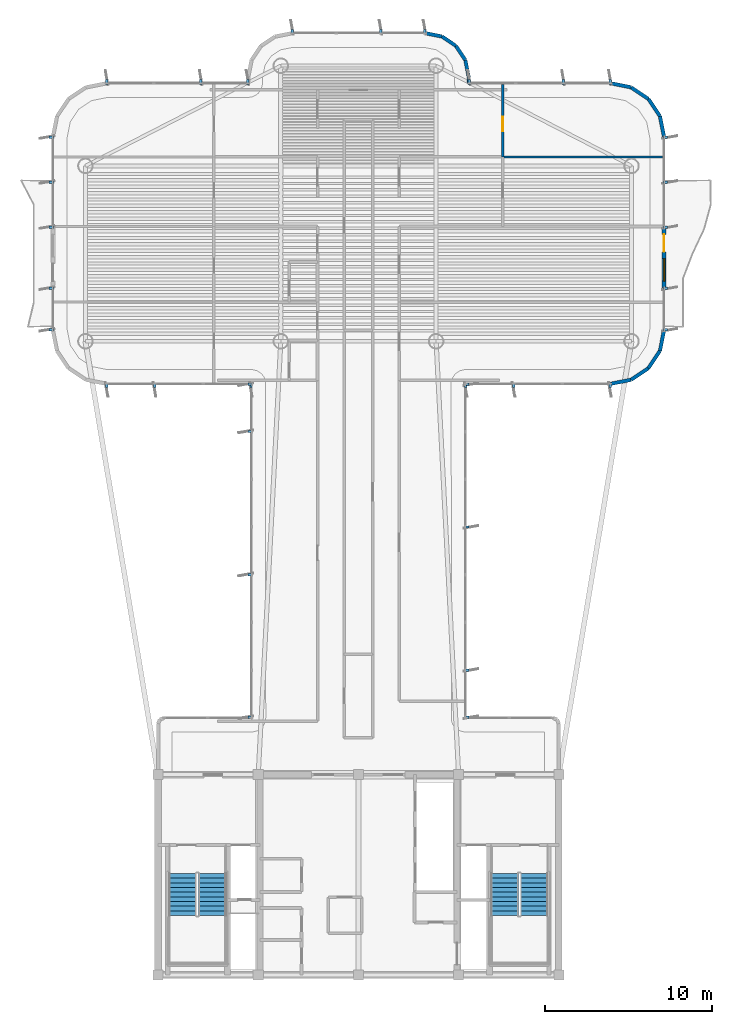
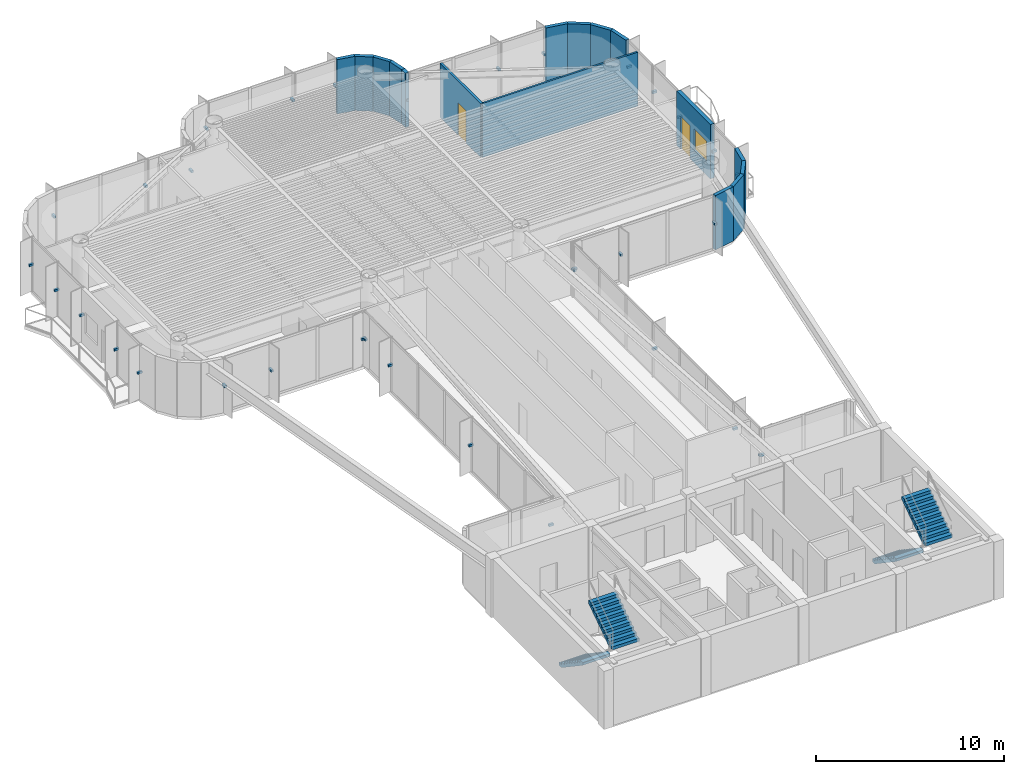
# One storey, part 13 of 15: 33 discrete accessories, 16 walls, 4 stair flights, 2 doors, 1 window, 3 openings, 2 elements without a shape of their own.
"""IFC4 building model written with IfcOpenShell, lengths in metres."""

from ifc_helpers import new_model, si_unit, direction, frame, frame_2d, origin, origin_2d, place, context, subcontext, project, spatial, polyline, rectangle, outline, extrude, source, transform, mapped, material, layer, layer_set, type_object, element, fill, aggregate, save


model = new_model("IFC4")

# Units and contexts
model_context = context("Model", 3, precision=1e-05, world=origin(), true_north=direction((0.0, 1.0)))
body_context = subcontext(model_context, "Body", "Model", "MODEL_VIEW")
ifc_project = project(units=[si_unit("LENGTHUNIT", "METRE"), si_unit("AREAUNIT", "SQUARE_METRE"), si_unit("VOLUMEUNIT", "CUBIC_METRE"), si_unit("PLANEANGLEUNIT", "RADIAN"), si_unit("MASSUNIT", "GRAM", prefix="KILO")], contexts=[model_context])

# Site, building, storey
site_placement = place(None, origin())
site = spatial("IfcSite", under=ifc_project, at=site_placement, CompositionType="ELEMENT")
building_placement = place(site_placement, origin())
building = spatial("IfcBuilding", under=site, at=building_placement, Name="Brelvock Crest Care Tower", CompositionType="ELEMENT")
storey_placement = place(building_placement, frame((0.0, 0.0, 264.60009765625)))
storey = spatial("IfcBuildingStorey", under=building, at=storey_placement, Name="L67", CompositionType="ELEMENT", Elevation=264.60009765625)

# Wall, openings, door, window
ifc_material_1 = material(Name="Precast concrete N40 (40 MPa)", Category="concrete")
ifc_layer_1 = layer(ifc_material_1, 0.239990234375, Name="WL-EX1")
ifc_layer_set_1 = layer_set([ifc_layer_1], Name="Precast concrete N40 (40 MPa)")
wall_type_1 = type_object("IfcWallType", Name="WL-EX1", PredefinedType="SOLIDWALL", material=ifc_layer_set_1)
wall_1_placement = place(storey_placement, frame((54.300048828125, 50.75, 0.0), z_axis=(0.0, 0.0, 1.0), x_axis=(0.0, -1.0, 0.0)))
wall_1 = element("IfcWall", 1, at=wall_1_placement, inside=storey, type_object=wall_type_1, Name="L67 Exterior Spandrel Wall WL-BAL-L67-E", PredefinedType="SOLIDWALL", context=body_context, shape_type="SweptSolid", body=[
    extrude(rectangle(XDim=3.60009765625, YDim=0.239990234375, at=frame_2d((1.800048828125, 0.0))), origin(), (0.0, 0.0, 1.0), 3.52978515625),
])
opening_1_placement = place(wall_1_placement, frame((0.39990234375, 0.0, 0.0)))
opening_1 = element("IfcOpeningElement", 2, at=opening_1_placement, cuts=wall_1, Name="Opening BD-1", PredefinedType="OPENING", context=body_context, shape_type="SweptSolid", body=[
    extrude(rectangle(XDim=1.050048828125, YDim=2.14990234375, at=origin_2d()), frame((0.52490234375, 0.1298828125, 1.074951171875), z_axis=(0.0, -1.0, 0.0), x_axis=(1.0, 0.0, 0.0)), (0.0, 0.0, 1.0), 0.260009765625),
])
opening_2_placement = place(wall_1_placement, frame((1.85009765625, 0.0, 0.85009765625)))
opening_2 = element("IfcOpeningElement", 3, at=opening_2_placement, cuts=wall_1, Name="Opening W-01", PredefinedType="OPENING", context=body_context, shape_type="SweptSolid", body=[
    extrude(rectangle(XDim=1.35009765625, YDim=1.35009765625, at=origin_2d()), frame((0.675048828125, 0.1298828125, 0.675048828125), z_axis=(0.0, -1.0, 0.0), x_axis=(1.0, 0.0, 0.0)), (0.0, 0.0, 1.0), 0.260009765625),
])
ifc_material_2 = material(Name="Dark Glass Double Glazed Low-E", Category="glass")
door_type_1 = type_object("IfcDoorType", Name="DR-BAL1", OperationType="NOTDEFINED", PredefinedType="DOOR", material=ifc_material_2)
shared_shape_1 = source(origin(), body_context, "Body", "SweptSolid", [
    extrude(rectangle(XDim=1.050048828125, YDim=2.14990234375, at=origin_2d()), frame((0.52490234375, 0.02490234375, 1.074951171875), z_axis=(0.0, -1.0, 0.0), x_axis=(1.0, 0.0, 0.0)), (0.0, 0.0, 1.0), 0.050048828125),
])
door_1_placement = place(opening_1_placement, origin())
door_1 = element("IfcDoor", 4, at=door_1_placement, inside=storey, type_object=door_type_1, Name="L67 E Wave Balcony Glazed Door", OperationType="SINGLE_SWING_RIGHT", OverallHeight=2.14990234375, OverallWidth=1.050048828125, PredefinedType="DOOR", context=body_context, shape_type="MappedRepresentation", body=[
    mapped(shared_shape_1, transform((0.0, 0.0, 0.0), x_axis=(1.0, 0.0, 0.0), y_axis=(0.0, 1.0, 0.0), z_axis=(0.0, 0.0, 1.0), scale=1.0)),
])
fill(opening_1, door_1)
window_type = type_object("IfcWindowType", Name="WN-EX1", PartitioningType="SINGLE_PANEL", PredefinedType="WINDOW", material=ifc_material_2)
shared_shape_2 = source(origin(), body_context, "Body", "SweptSolid", [
    extrude(rectangle(XDim=1.35009765625, YDim=1.35009765625, at=origin_2d()), frame((0.675048828125, 0.030029296875, 0.675048828125), z_axis=(0.0, -1.0, 0.0), x_axis=(1.0, 0.0, 0.0)), (0.0, 0.0, 1.0), 0.06005859375),
])
window_placement = place(opening_2_placement, origin())
window = element("IfcWindow", 5, at=window_placement, inside=storey, type_object=window_type, Name="L67 E Suite Casement Window", OverallHeight=1.35009765625, OverallWidth=1.35009765625, PartitioningType="SINGLE_PANEL", PredefinedType="WINDOW", context=body_context, shape_type="MappedRepresentation", body=[
    mapped(shared_shape_2, transform((0.0, 0.0, 0.0), x_axis=(1.0, 0.0, 0.0), y_axis=(0.0, 1.0, 0.0), z_axis=(0.0, 0.0, 1.0), scale=1.0)),
])
fill(opening_2, window)

# Walls
ifc_layer_2 = layer(ifc_material_1, 0.215087890625, Name="WL-EX2")
ifc_layer_set_2 = layer_set([ifc_layer_2], Name="Precast concrete N40 (40 MPa)")
wall_type_2 = type_object("IfcWallType", Name="WL-EX2", PredefinedType="SOLIDWALL", material=ifc_layer_set_2)
wall_2_placement = place(storey_placement, frame((40.0, 62.39990234375, 0.0), z_axis=(0.0, 0.0, 1.0), x_axis=(0.980820570666, -0.194912821943, 0.0)))
element("IfcWall", 6, at=wall_2_placement, inside=storey, type_object=wall_type_2, Name="L67 Rounded Corner Wall 29", PredefinedType="SOLIDWALL", context=body_context, shape_type="SweptSolid", body=[
    extrude(rectangle(XDim=1.0146484375, YDim=0.215087890625, at=frame_2d((0.50732421875, 0.0))), origin(), (0.0, 0.0, 1.0), 3.52978515625),
])
wall_3_placement = place(storey_placement, frame((40.9951171875, 62.2021484375, 0.0), z_axis=(0.0, 0.0, 1.0), x_axis=(0.831346067305, -0.555755086685, 0.0)))
element("IfcWall", 7, at=wall_3_placement, inside=storey, type_object=wall_type_2, Name="L67 Rounded Corner Wall 30", PredefinedType="SOLIDWALL", context=body_context, shape_type="SweptSolid", body=[
    extrude(rectangle(XDim=1.014404296875, YDim=0.215087890625, at=frame_2d((0.50732421875, 0.0))), origin(), (0.0, 0.0, 1.0), 3.52978515625),
])
wall_4_placement = place(storey_placement, frame((41.83837890625, 61.638427734375, 0.0), z_axis=(0.0, 0.0, 1.0), x_axis=(0.555643898837, -0.831420385657, 0.0)))
element("IfcWall", 8, at=wall_4_placement, inside=storey, type_object=wall_type_2, Name="L67 Rounded Corner Wall 31", PredefinedType="SOLIDWALL", context=body_context, shape_type="SweptSolid", body=[
    extrude(rectangle(XDim=1.0146484375, YDim=0.215087890625, at=frame_2d((0.50732421875, 0.0))), origin(), (0.0, 0.0, 1.0), 3.52978515625),
])
wall_5_placement = place(storey_placement, frame((42.402099609375, 60.794921875, 0.0), z_axis=(0.0, 0.0, 1.0), x_axis=(0.195190360752, -0.980765376158, 0.0)))
element("IfcWall", 9, at=wall_5_placement, inside=storey, type_object=wall_type_2, Name="L67 Rounded Corner Wall 32", PredefinedType="SOLIDWALL", context=body_context, shape_type="SweptSolid", body=[
    extrude(rectangle(XDim=1.014404296875, YDim=0.215087890625, at=frame_2d((0.50732421875, 0.0))), origin(), (0.0, 0.0, 1.0), 3.52978515625),
])
wall_6_placement = place(storey_placement, frame((42.60009765625, 59.800048828125, 0.0), z_axis=(0.0, 0.0, 1.0), x_axis=(0.0, -1.0, 0.0)))
element("IfcWall", 10, at=wall_6_placement, inside=storey, type_object=wall_type_2, Name="L67 Rounded Corner Wall 33", PredefinedType="SOLIDWALL", context=body_context, shape_type="SweptSolid", body=[
    extrude(rectangle(XDim=0.400146484375, YDim=0.215087890625, at=frame_2d((0.2001953125, 0.0))), origin(), (0.0, 0.0, 1.0), 3.52978515625),
])
for number, where, z_axis, x_axis, name in (
    (11, (51.10009765625, 59.39990234375, 0.0), (0.0, 0.0, 1.0), (0.980813122964, -0.194950295773, 0.0), "L67 Rounded Corner Wall 35"),
    (12, (52.32470703125, 59.156494140625, 0.0), (0.0, 0.0, 1.0), (0.831387912822, -0.555692485475, 0.0), "L67 Rounded Corner Wall 36"),
    (13, (53.36279296875, 58.462646484375, 0.0), (0.0, 0.0, 1.0), (0.555557312883, -0.831478245117, 0.0), "L67 Rounded Corner Wall 37"),
    (14, (54.056396484375, 57.424560546875, 0.0), (0.0, 0.0, 1.0), (0.195138390419, -0.980775717779, 0.0), "L67 Rounded Corner Wall 38"),
    (15, (54.300048828125, 44.60009765625, 0.0), (0.0, 0.0, 1.0), (-0.195138390419, -0.980775717779, 0.0), "L67 Rounded Corner Wall 40"),
    (16, (54.056396484375, 43.37548828125, 0.0), (0.0, 0.0, 1.0), (-0.555557312883, -0.831478245117, 0.0), "L67 Rounded Corner Wall 41"),
    (17, (53.36279296875, 42.33740234375, 0.0), (0.0, 0.0, 1.0), (-0.831387912822, -0.555692485475, 0.0), "L67 Rounded Corner Wall 42"),
    (18, (52.32470703125, 41.6435546875, 0.0), (0.0, 0.0, 1.0), (-0.980775717779, -0.195138390419, 0.0), "L67 Rounded Corner Wall 43"),
):
    element("IfcWall", number, at=place(storey_placement, frame(where, z_axis=z_axis, x_axis=x_axis)), inside=storey, type_object=wall_type_2, Name=name, PredefinedType="SOLIDWALL", context=body_context, shape_type="SweptSolid", body=[
        extrude(rectangle(XDim=1.24853515625, YDim=0.215087890625, at=frame_2d((0.624267578125, 0.0))), origin(), (0.0, 0.0, 1.0), 3.52978515625),
    ])

# Wall, opening, door
ifc_material_3 = material(Name="Masonry Blockwork Acoustic Partition", Category="masonry")
ifc_layer_3 = layer(ifc_material_3, 0.14990234375, Name="WL-INT1")
ifc_layer_set_3 = layer_set([ifc_layer_3], Name="Masonry Blockwork Acoustic Partition")
wall_type_3 = type_object("IfcWallType", Name="WL-INT1", PredefinedType="PARTITIONING", material=ifc_layer_set_3)
wall_7_placement = place(storey_placement, frame((44.64990234375, 54.998046875, 0.0), z_axis=(0.0, 0.0, 1.0), x_axis=(0.0, 1.0, 0.0)))
wall_7 = element("IfcWall", 19, at=wall_7_placement, inside=storey, type_object=wall_type_3, Name="L67 Interior Wall WL-RM-L67-ES4S", PredefinedType="PARTITIONING", context=body_context, shape_type="SweptSolid", body=[
    extrude(rectangle(XDim=4.324462890625, YDim=0.14990234375, at=frame_2d((2.162109375, 0.0))), origin(), (0.0, 0.0, 1.0), 3.5),
])
opening_3_placement = place(wall_7_placement, frame((1.5419921875, 0.0, 0.0)))
opening_3 = element("IfcOpeningElement", 20, at=opening_3_placement, cuts=wall_7, Name="Opening ID-1", PredefinedType="OPENING", context=body_context, shape_type="SweptSolid", body=[
    extrude(rectangle(XDim=0.860107421875, YDim=2.10009765625, at=origin_2d()), frame((0.43017578125, 0.0849609375, 1.050048828125), z_axis=(0.0, -1.0, 0.0), x_axis=(1.0, 0.0, 0.0)), (0.0, 0.0, 1.0), 0.169921875),
])
ifc_material_4 = material(Name="Engineered Hardwood Timber", Category="wood")
door_type_2 = type_object("IfcDoorType", Name="DR-INT1", OperationType="NOTDEFINED", PredefinedType="DOOR", material=ifc_material_4)
shared_shape_3 = source(origin(), body_context, "Body", "SweptSolid", [
    extrude(rectangle(XDim=0.860107421875, YDim=2.10009765625, at=origin_2d()), frame((0.43017578125, 0.02490234375, 1.050048828125), z_axis=(0.0, -1.0, 0.0), x_axis=(1.0, 0.0, 0.0)), (0.0, 0.0, 1.0), 0.050048828125),
])
door_2_placement = place(opening_3_placement, origin())
door_2 = element("IfcDoor", 21, at=door_2_placement, inside=storey, type_object=door_type_2, Name="L67 Skilled Nursing Mobility Store Door ES4S", OperationType="SINGLE_SWING_LEFT", OverallHeight=2.10009765625, OverallWidth=0.860107421875, PredefinedType="DOOR", context=body_context, shape_type="MappedRepresentation", body=[
    mapped(shared_shape_3, transform((0.0, 0.0, 0.0), x_axis=(1.0, 0.0, 0.0), y_axis=(0.0, 1.0, 0.0), z_axis=(0.0, 0.0, 1.0), scale=1.0)),
])
fill(opening_3, door_2)

# Wall
ifc_material_5 = material(Name="Gypsum Plasterboard Partition", Category="gypsum")
ifc_layer_4 = layer(ifc_material_5, 0.1201171875, Name="WL-INT2")
ifc_layer_set_4 = layer_set([ifc_layer_4], Name="Gypsum Plasterboard Partition")
wall_type_4 = type_object("IfcWallType", Name="WL-INT2", PredefinedType="PARTITIONING", material=ifc_layer_set_4)
wall_8_placement = place(storey_placement, frame((44.64990234375, 54.998046875, 0.0), z_axis=(0.0, 0.0, 1.0), x_axis=(1.0, 0.0, 0.0)))
element("IfcWall", 22, at=wall_8_placement, inside=storey, type_object=wall_type_4, Name="L67 Interior Wall WL-BX-L67-ES3S-N", PredefinedType="PARTITIONING", context=body_context, shape_type="SweptSolid", body=[
    extrude(rectangle(XDim=9.570068359375, YDim=0.1201171875, at=frame_2d((4.78515625, 0.0))), origin(), (0.0, 0.0, 1.0), 3.5),
])

# Stair, stair flights
ifc_material_6 = material(Name="Concrete N40 (40 MPa)", Category="concrete")
stair_type = type_object("IfcStairType", Name="ST-CORE1", PredefinedType="HALF_TURN_STAIR", material=ifc_material_6)
stair_1_placement = place(storey_placement, origin())
stair_1 = element("IfcStair", 23, at=stair_1_placement, inside=storey, type_object=stair_type, Name="L67 Fire-Isolated Core Stair ST-1", PredefinedType="HALF_TURN_STAIR")
stair_flight_type = type_object("IfcStairFlightType", Name="STF-1", PredefinedType="STRAIGHT", material=ifc_material_6)
stair_flight_1_placement = place(storey_placement, frame((25.469970703125, 12.080078125, 0.0), z_axis=(0.0, 0.0, 1.0), x_axis=(0.0, -1.0, 0.0)))
stair_flight_1 = element("IfcStairFlight", 24, at=stair_flight_1_placement, type_object=stair_flight_type, Name="ST-1 flight 1", NumberOfRisers=10, NumberOfTreads=9, PredefinedType="STRAIGHT", RiserHeight=0.189, TreadLength=0.28, context=body_context, shape_type="SweptSolid", body=[
    extrude(outline(polyline([(-0.00390625, -0.014892578125), (-0.00390625, -0.0078125), (-0.00390625, -0.00048828125), (-0.00390625, 0.0068359375), (-0.00390625, 0.01416015625), (-0.00390625, 0.021484375), (-0.00390625, 0.02880859375), (-0.00390625, 0.035888671875), (-0.00390625, 0.043212890625), (-0.00390625, 0.050537109375), (-0.00390625, 0.057861328125), (-0.00390625, 0.065185546875), (-0.00390625, 0.072509765625), (-0.00390625, 0.07958984375), (-0.00390625, 0.0869140625), (-0.00390625, 0.09423828125), (-0.00390625, 0.1015625), (-0.00390625, 0.10888671875), (-0.00390625, 0.1162109375), (-0.00390625, 0.12353515625), (-0.00390625, 0.130615234375), (-0.00390625, 0.137939453125), (-0.00390625, 0.145263671875), (-0.00390625, 0.152587890625), (-0.00390625, 0.159912109375), (-0.00390625, 0.167236328125), (-0.00390625, 0.17431640625), (-0.00390625, 0.181640625), (-0.00390625, 0.18896484375), (0.0, 0.18896484375), (0.280029296875, 0.18896484375), (0.280029296875, 0.3779296875), (0.56005859375, 0.3779296875), (0.56005859375, 0.56689453125), (0.840087890625, 0.56689453125), (0.840087890625, 0.756103515625), (1.1201171875, 0.756103515625), (1.1201171875, 0.945068359375), (1.39990234375, 0.945068359375), (1.39990234375, 1.134033203125), (1.679931640625, 1.134033203125), (1.679931640625, 1.322998046875), (1.9599609375, 1.322998046875), (1.9599609375, 1.511962890625), (2.239990234375, 1.511962890625), (2.239990234375, 1.700927734375), (2.52001953125, 1.700927734375), (2.52392578125, 1.700927734375), (2.523681640625, 1.70068359375), (2.52392578125, 1.700439453125), (2.523681640625, 1.699951171875), (2.52392578125, 1.69970703125), (2.523681640625, 1.699462890625), (2.52392578125, 1.698974609375), (2.523681640625, 1.69873046875), (2.52392578125, 1.698486328125), (2.523681640625, 1.697998046875), (2.52392578125, 1.69775390625), (2.523681640625, 1.697509765625), (2.52392578125, 1.697021484375), (2.523681640625, 1.69677734375), (2.52392578125, 1.696533203125), (2.523681640625, 1.6962890625), (2.52392578125, 1.69580078125), (2.523681640625, 1.695556640625), (2.52392578125, 1.6953125), (2.523681640625, 1.69482421875), (2.52392578125, 1.694580078125), (2.523681640625, 1.6943359375), (2.52392578125, 1.69384765625), (2.523681640625, 1.693603515625), (2.52392578125, 1.693359375), (2.523681640625, 1.69287109375), (2.52392578125, 1.692626953125), (2.523681640625, 1.6923828125), (2.52392578125, 1.69189453125), (2.52001953125, 1.520263671875), (0.267822265625, 0.0), (0.0, 0.0), (0.0, -0.014892578125), (-0.00390625, -0.014892578125)])), frame((0.0, 0.83984375, 0.0), z_axis=(0.0, -1.0, 0.0), x_axis=(1.0, 0.0, 0.0)), (0.0, 0.0, 1.0), 1.679931640625),
])
stair_flight_2_placement = place(storey_placement, frame((27.27001953125, 9.56005859375, 1.889892578125), z_axis=(0.0, 0.0, 1.0), x_axis=(0.0, 1.0, 0.0)))
stair_flight_2 = element("IfcStairFlight", 25, at=stair_flight_2_placement, type_object=stair_flight_type, Name="ST-1 flight 2", NumberOfRisers=10, NumberOfTreads=9, PredefinedType="STRAIGHT", RiserHeight=0.189, TreadLength=0.28, context=body_context, shape_type="SweptSolid", body=[
    extrude(outline(polyline([(-0.00390625, -0.014892578125), (-0.00390625, -0.0078125), (-0.00390625, -0.00048828125), (-0.00390625, 0.0068359375), (-0.00390625, 0.01416015625), (-0.00390625, 0.021484375), (-0.00390625, 0.02880859375), (-0.00390625, 0.035888671875), (-0.00390625, 0.043212890625), (-0.00390625, 0.050537109375), (-0.00390625, 0.057861328125), (-0.00390625, 0.065185546875), (-0.00390625, 0.072509765625), (-0.00390625, 0.07958984375), (-0.00390625, 0.0869140625), (-0.00390625, 0.09423828125), (-0.00390625, 0.1015625), (-0.00390625, 0.10888671875), (-0.00390625, 0.1162109375), (-0.00390625, 0.12353515625), (-0.00390625, 0.130615234375), (-0.00390625, 0.137939453125), (-0.00390625, 0.145263671875), (-0.00390625, 0.152587890625), (-0.00390625, 0.159912109375), (-0.00390625, 0.167236328125), (-0.00390625, 0.17431640625), (-0.00390625, 0.181640625), (-0.00390625, 0.18896484375), (0.0, 0.18896484375), (0.280029296875, 0.18896484375), (0.280029296875, 0.3779296875), (0.56005859375, 0.3779296875), (0.56005859375, 0.56689453125), (0.840087890625, 0.56689453125), (0.840087890625, 0.756103515625), (1.1201171875, 0.756103515625), (1.1201171875, 0.945068359375), (1.39990234375, 0.945068359375), (1.39990234375, 1.134033203125), (1.679931640625, 1.134033203125), (1.679931640625, 1.322998046875), (1.9599609375, 1.322998046875), (1.9599609375, 1.511962890625), (2.239990234375, 1.511962890625), (2.239990234375, 1.700927734375), (2.52001953125, 1.700927734375), (2.52392578125, 1.700927734375), (2.523681640625, 1.70068359375), (2.52392578125, 1.700439453125), (2.523681640625, 1.699951171875), (2.52392578125, 1.69970703125), (2.523681640625, 1.699462890625), (2.52392578125, 1.698974609375), (2.523681640625, 1.69873046875), (2.52392578125, 1.698486328125), (2.523681640625, 1.697998046875), (2.52392578125, 1.69775390625), (2.523681640625, 1.697509765625), (2.52392578125, 1.697021484375), (2.523681640625, 1.69677734375), (2.52392578125, 1.696533203125), (2.523681640625, 1.6962890625), (2.52392578125, 1.69580078125), (2.523681640625, 1.695556640625), (2.52392578125, 1.6953125), (2.523681640625, 1.69482421875), (2.52392578125, 1.694580078125), (2.523681640625, 1.6943359375), (2.52392578125, 1.69384765625), (2.523681640625, 1.693603515625), (2.52392578125, 1.693359375), (2.523681640625, 1.69287109375), (2.52392578125, 1.692626953125), (2.523681640625, 1.6923828125), (2.52392578125, 1.69189453125), (2.52001953125, 1.520263671875), (0.267822265625, 0.0), (0.0, 0.0), (0.0, -0.014892578125), (-0.00390625, -0.014892578125)])), frame((0.0, 0.83984375, 0.0), z_axis=(0.0, -1.0, 0.0), x_axis=(1.0, 0.0, 0.0)), (0.0, 0.0, 1.0), 1.679931640625),
])
aggregate(stair_1, [stair_flight_1, stair_flight_2])

stair_2_placement = place(storey_placement, origin())
stair_2 = element("IfcStair", 26, at=stair_2_placement, inside=storey, type_object=stair_type, Name="L67 Fire-Isolated Core Stair ST-2", PredefinedType="HALF_TURN_STAIR")
stair_flight_3_placement = place(storey_placement, frame((44.72998046875, 12.080078125, 0.0), z_axis=(0.0, 0.0, 1.0), x_axis=(0.0, -1.0, 0.0)))
stair_flight_3 = element("IfcStairFlight", 27, at=stair_flight_3_placement, type_object=stair_flight_type, Name="ST-2 flight 1", NumberOfRisers=10, NumberOfTreads=9, PredefinedType="STRAIGHT", RiserHeight=0.189, TreadLength=0.28, context=body_context, shape_type="SweptSolid", body=[
    extrude(outline(polyline([(-0.00390625, -0.014892578125), (-0.00390625, -0.0078125), (-0.00390625, -0.00048828125), (-0.00390625, 0.0068359375), (-0.00390625, 0.01416015625), (-0.00390625, 0.021484375), (-0.00390625, 0.02880859375), (-0.00390625, 0.035888671875), (-0.00390625, 0.043212890625), (-0.00390625, 0.050537109375), (-0.00390625, 0.057861328125), (-0.00390625, 0.065185546875), (-0.00390625, 0.072509765625), (-0.00390625, 0.07958984375), (-0.00390625, 0.0869140625), (-0.00390625, 0.09423828125), (-0.00390625, 0.1015625), (-0.00390625, 0.10888671875), (-0.00390625, 0.1162109375), (-0.00390625, 0.12353515625), (-0.00390625, 0.130615234375), (-0.00390625, 0.137939453125), (-0.00390625, 0.145263671875), (-0.00390625, 0.152587890625), (-0.00390625, 0.159912109375), (-0.00390625, 0.167236328125), (-0.00390625, 0.17431640625), (-0.00390625, 0.181640625), (-0.00390625, 0.18896484375), (0.0, 0.18896484375), (0.280029296875, 0.18896484375), (0.280029296875, 0.3779296875), (0.56005859375, 0.3779296875), (0.56005859375, 0.56689453125), (0.840087890625, 0.56689453125), (0.840087890625, 0.756103515625), (1.1201171875, 0.756103515625), (1.1201171875, 0.945068359375), (1.39990234375, 0.945068359375), (1.39990234375, 1.134033203125), (1.679931640625, 1.134033203125), (1.679931640625, 1.322998046875), (1.9599609375, 1.322998046875), (1.9599609375, 1.511962890625), (2.239990234375, 1.511962890625), (2.239990234375, 1.700927734375), (2.52001953125, 1.700927734375), (2.52392578125, 1.700927734375), (2.523681640625, 1.70068359375), (2.52392578125, 1.700439453125), (2.523681640625, 1.699951171875), (2.52392578125, 1.69970703125), (2.523681640625, 1.699462890625), (2.52392578125, 1.698974609375), (2.523681640625, 1.69873046875), (2.52392578125, 1.698486328125), (2.523681640625, 1.697998046875), (2.52392578125, 1.69775390625), (2.523681640625, 1.697509765625), (2.52392578125, 1.697021484375), (2.523681640625, 1.69677734375), (2.52392578125, 1.696533203125), (2.523681640625, 1.6962890625), (2.52392578125, 1.69580078125), (2.523681640625, 1.695556640625), (2.52392578125, 1.6953125), (2.523681640625, 1.69482421875), (2.52392578125, 1.694580078125), (2.523681640625, 1.6943359375), (2.52392578125, 1.69384765625), (2.523681640625, 1.693603515625), (2.52392578125, 1.693359375), (2.523681640625, 1.69287109375), (2.52392578125, 1.692626953125), (2.523681640625, 1.6923828125), (2.52392578125, 1.69189453125), (2.52001953125, 1.520263671875), (0.267822265625, 0.0), (0.0, 0.0), (0.0, -0.014892578125), (-0.00390625, -0.014892578125)])), frame((0.0, 0.83984375, 0.0), z_axis=(0.0, -1.0, 0.0), x_axis=(1.0, 0.0, 0.0)), (0.0, 0.0, 1.0), 1.679931640625),
])
stair_flight_4_placement = place(storey_placement, frame((46.530029296875, 9.56005859375, 1.889892578125), z_axis=(0.0, 0.0, 1.0), x_axis=(0.0, 1.0, 0.0)))
stair_flight_4 = element("IfcStairFlight", 28, at=stair_flight_4_placement, type_object=stair_flight_type, Name="ST-2 flight 2", NumberOfRisers=10, NumberOfTreads=9, PredefinedType="STRAIGHT", RiserHeight=0.189, TreadLength=0.28, context=body_context, shape_type="SweptSolid", body=[
    extrude(outline(polyline([(-0.00390625, -0.014892578125), (-0.00390625, -0.0078125), (-0.00390625, -0.00048828125), (-0.00390625, 0.0068359375), (-0.00390625, 0.01416015625), (-0.00390625, 0.021484375), (-0.00390625, 0.02880859375), (-0.00390625, 0.035888671875), (-0.00390625, 0.043212890625), (-0.00390625, 0.050537109375), (-0.00390625, 0.057861328125), (-0.00390625, 0.065185546875), (-0.00390625, 0.072509765625), (-0.00390625, 0.07958984375), (-0.00390625, 0.0869140625), (-0.00390625, 0.09423828125), (-0.00390625, 0.1015625), (-0.00390625, 0.10888671875), (-0.00390625, 0.1162109375), (-0.00390625, 0.12353515625), (-0.00390625, 0.130615234375), (-0.00390625, 0.137939453125), (-0.00390625, 0.145263671875), (-0.00390625, 0.152587890625), (-0.00390625, 0.159912109375), (-0.00390625, 0.167236328125), (-0.00390625, 0.17431640625), (-0.00390625, 0.181640625), (-0.00390625, 0.18896484375), (0.0, 0.18896484375), (0.280029296875, 0.18896484375), (0.280029296875, 0.3779296875), (0.56005859375, 0.3779296875), (0.56005859375, 0.56689453125), (0.840087890625, 0.56689453125), (0.840087890625, 0.756103515625), (1.1201171875, 0.756103515625), (1.1201171875, 0.945068359375), (1.39990234375, 0.945068359375), (1.39990234375, 1.134033203125), (1.679931640625, 1.134033203125), (1.679931640625, 1.322998046875), (1.9599609375, 1.322998046875), (1.9599609375, 1.511962890625), (2.239990234375, 1.511962890625), (2.239990234375, 1.700927734375), (2.52001953125, 1.700927734375), (2.52392578125, 1.700927734375), (2.523681640625, 1.70068359375), (2.52392578125, 1.700439453125), (2.523681640625, 1.699951171875), (2.52392578125, 1.69970703125), (2.523681640625, 1.699462890625), (2.52392578125, 1.698974609375), (2.523681640625, 1.69873046875), (2.52392578125, 1.698486328125), (2.523681640625, 1.697998046875), (2.52392578125, 1.69775390625), (2.523681640625, 1.697509765625), (2.52392578125, 1.697021484375), (2.523681640625, 1.69677734375), (2.52392578125, 1.696533203125), (2.523681640625, 1.6962890625), (2.52392578125, 1.69580078125), (2.523681640625, 1.695556640625), (2.52392578125, 1.6953125), (2.523681640625, 1.69482421875), (2.52392578125, 1.694580078125), (2.523681640625, 1.6943359375), (2.52392578125, 1.69384765625), (2.523681640625, 1.693603515625), (2.52392578125, 1.693359375), (2.523681640625, 1.69287109375), (2.52392578125, 1.692626953125), (2.523681640625, 1.6923828125), (2.52392578125, 1.69189453125), (2.52001953125, 1.520263671875), (0.267822265625, 0.0), (0.0, 0.0), (0.0, -0.014892578125), (-0.00390625, -0.014892578125)])), frame((0.0, 0.83984375, 0.0), z_axis=(0.0, -1.0, 0.0), x_axis=(1.0, 0.0, 0.0)), (0.0, 0.0, 1.0), 1.679931640625),
])
aggregate(stair_2, [stair_flight_3, stair_flight_4])

# Discrete accessories
ifc_material_7 = material(Name="Steel Grade 350", Category="steel")
discrete_accessory_type = type_object("IfcDiscreteAccessoryType", Name="ACC-BRK1", PredefinedType="BRACKET", material=ifc_material_7)
shared_shape_4 = source(origin(), body_context, "Body", "SweptSolid", [
    extrude(rectangle(XDim=0.280029296875, YDim=0.139892578125, at=origin_2d()), origin(), (0.0, 0.0, 1.0), 0.139892578125),
])
for number, where, z_axis, x_axis, name in (
    (29, (29.52001953125, 21.429931640625, 1.69482421875), (0.0, 0.0, 1.0), (-1.0, 0.0, 0.0), "L67 Facade Fin Bracket E11-01"),
    (30, (29.52001953125, 29.971435546875, 1.69482421875), (0.0, 0.0, 1.0), (-1.0, 0.0, 0.0), "L67 Facade Fin Bracket E11-04"),
    (31, (29.52001953125, 38.54296875, 1.69482421875), (0.0, 0.0, 1.0), (-1.0, 0.0, 0.0), "L67 Facade Fin Bracket E11-07"),
    (32, (29.52001953125, 41.3701171875, 1.69482421875), (0.0, 0.0, 1.0), (-1.0, 0.0, 0.0), "L67 Facade Fin Bracket E11-08"),
    (33, (29.570068359375, 41.320068359375, 1.69482421875), (0.0, 0.0, 1.0), (0.0, -1.0, 0.0), "L67 Facade Fin Bracket E12-01"),
    (34, (23.800048828125, 41.320068359375, 1.69482421875), (0.0, 0.0, 1.0), (0.0, -1.0, 0.0), "L67 Facade Fin Bracket E12-03"),
    (35, (20.929931640625, 41.320068359375, 1.69482421875), (0.0, 0.0, 1.0), (0.0, -1.0, 0.0), "L67 Facade Fin Bracket E12-04"),
    (36, (17.6201171875, 44.6298828125, 1.69482421875), (0.0, 0.0, 1.0), (-1.0, 0.0, 0.0), "L67 Facade Fin Bracket E17A-01"),
    (37, (17.6201171875, 47.1201171875, 1.69482421875), (0.0, 0.0, 1.0), (-1.0, 0.0, 0.0), "L67 Facade Fin Bracket E17A-02"),
    (38, (17.6201171875, 50.780029296875, 1.69482421875), (0.0, 0.0, 1.0), (-1.0, 0.0, 0.0), "L67 Facade Fin Bracket E17B-01"),
    (39, (17.6201171875, 53.47509765625, 1.69482421875), (0.0, 0.0, 1.0), (-1.0, 0.0, 0.0), "L67 Facade Fin Bracket E17B-02"),
    (40, (17.6201171875, 56.169921875, 1.69482421875), (0.0, 0.0, 1.0), (-1.0, 0.0, 0.0), "L67 Facade Fin Bracket E17B-03"),
    (41, (20.929931640625, 59.47998046875, 1.69482421875), (0.0, 0.0, 1.0), (0.0, 1.0, 0.0), "L67 Facade Fin Bracket E22-01"),
    (42, (26.566650390625, 59.47998046875, 1.69482421875), (0.0, 0.0, 1.0), (0.0, 1.0, 0.0), "L67 Facade Fin Bracket E22-03"),
    (43, (29.3701171875, 59.47998046875, 1.69482421875), (0.0, 0.0, 1.0), (0.0, 1.0, 0.0), "L67 Facade Fin Bracket E22-04"),
    (44, (32.030029296875, 62.47998046875, 1.69482421875), (0.0, 0.0, 1.0), (0.0, 1.0, 0.0), "L67 Facade Fin Bracket E28-01"),
    (45, (37.333251953125, 62.47998046875, 1.69482421875), (0.0, 0.0, 1.0), (0.0, 1.0, 0.0), "L67 Facade Fin Bracket E28-03"),
    (46, (39.969970703125, 62.47998046875, 1.69482421875), (0.0, 0.0, 1.0), (0.0, 1.0, 0.0), "L67 Facade Fin Bracket E28-04"),
    (47, (42.6298828125, 59.47998046875, 1.69482421875), (0.0, 0.0, 1.0), (0.0, 1.0, 0.0), "L67 Facade Fin Bracket E34-01"),
    (48, (48.2666015625, 59.47998046875, 1.69482421875), (0.0, 0.0, 1.0), (0.0, 1.0, 0.0), "L67 Facade Fin Bracket E34-03"),
    (49, (51.070068359375, 59.47998046875, 1.69482421875), (0.0, 0.0, 1.0), (0.0, 1.0, 0.0), "L67 Facade Fin Bracket E34-04"),
    (50, (54.3798828125, 56.169921875, 1.69482421875), (0.0, 0.0, 1.0), (1.0, 0.0, 0.0), "L67 Facade Fin Bracket E39A-01"),
    (51, (54.3798828125, 53.47509765625, 1.69482421875), (0.0, 0.0, 1.0), (1.0, 0.0, 0.0), "L67 Facade Fin Bracket E39A-02"),
    (52, (54.3798828125, 50.780029296875, 1.69482421875), (0.0, 0.0, 1.0), (1.0, 0.0, 0.0), "L67 Facade Fin Bracket E39A-03"),
    (53, (54.3798828125, 47.1201171875, 1.69482421875), (0.0, 0.0, 1.0), (1.0, 0.0, 0.0), "L67 Facade Fin Bracket E39B-01"),
    (54, (54.3798828125, 44.6298828125, 1.69482421875), (0.0, 0.0, 1.0), (1.0, 0.0, 0.0), "L67 Facade Fin Bracket E39B-02"),
    (55, (51.070068359375, 41.320068359375, 1.69482421875), (0.0, 0.0, 1.0), (0.0, -1.0, 0.0), "L67 Facade Fin Bracket E44-01"),
    (56, (45.300048828125, 41.320068359375, 1.69482421875), (0.0, 0.0, 1.0), (0.0, -1.0, 0.0), "L67 Facade Fin Bracket E44-03"),
    (57, (42.429931640625, 41.320068359375, 1.69482421875), (0.0, 0.0, 1.0), (0.0, -1.0, 0.0), "L67 Facade Fin Bracket E44-04"),
    (58, (42.47998046875, 41.3701171875, 1.69482421875), (0.0, 0.0, 1.0), (1.0, 0.0, 0.0), "L67 Facade Fin Bracket E45-01"),
    (59, (42.47998046875, 32.82861328125, 1.69482421875), (0.0, 0.0, 1.0), (1.0, 0.0, 0.0), "L67 Facade Fin Bracket E45-04"),
    (60, (42.47998046875, 24.257080078125, 1.69482421875), (0.0, 0.0, 1.0), (1.0, 0.0, 0.0), "L67 Facade Fin Bracket E45-07"),
    (61, (42.47998046875, 21.429931640625, 1.69482421875), (0.0, 0.0, 1.0), (1.0, 0.0, 0.0), "L67 Facade Fin Bracket E45-08"),
):
    element("IfcDiscreteAccessory", number, at=place(storey_placement, frame(where, z_axis=z_axis, x_axis=x_axis)), inside=storey, type_object=discrete_accessory_type, Name=name, PredefinedType="BRACKET", context=body_context, shape_type="MappedRepresentation", body=[
        mapped(shared_shape_4, transform((0.0, 0.0, 0.0), x_axis=(1.0, 0.0, 0.0), y_axis=(0.0, 1.0, 0.0), z_axis=(0.0, 0.0, 1.0), scale=1.0)),
    ])

save(model, "model.ifc")
